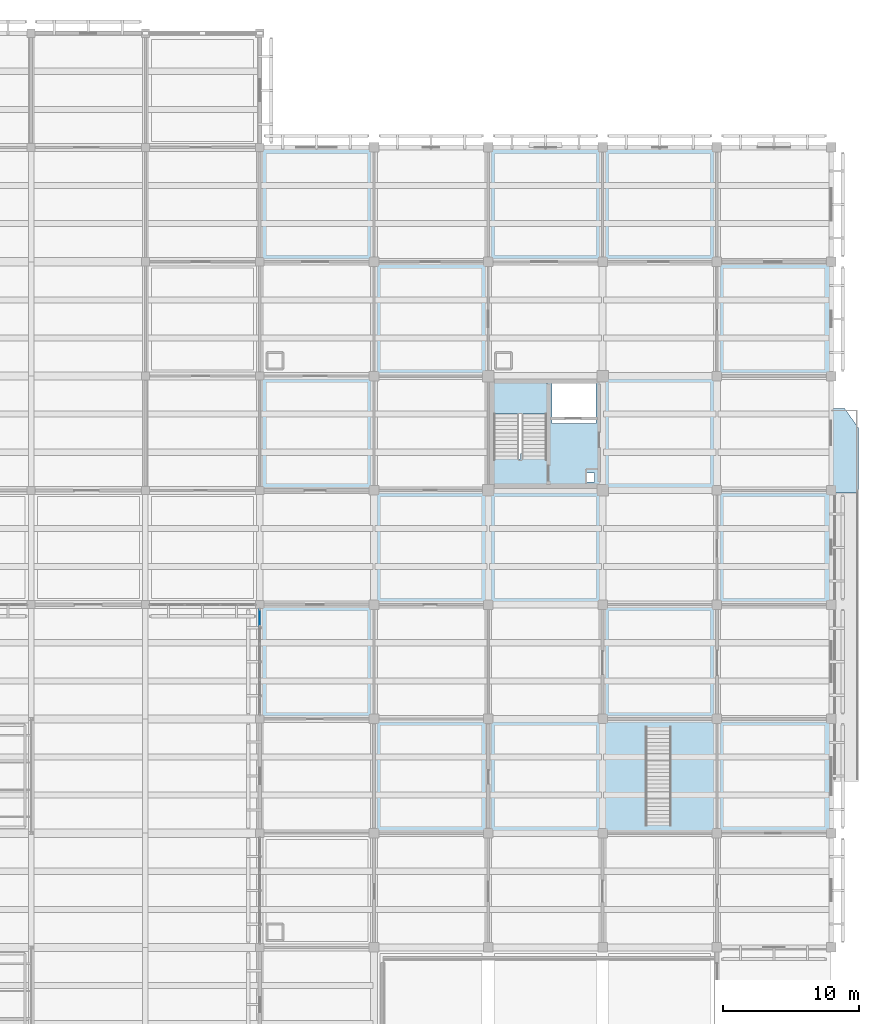
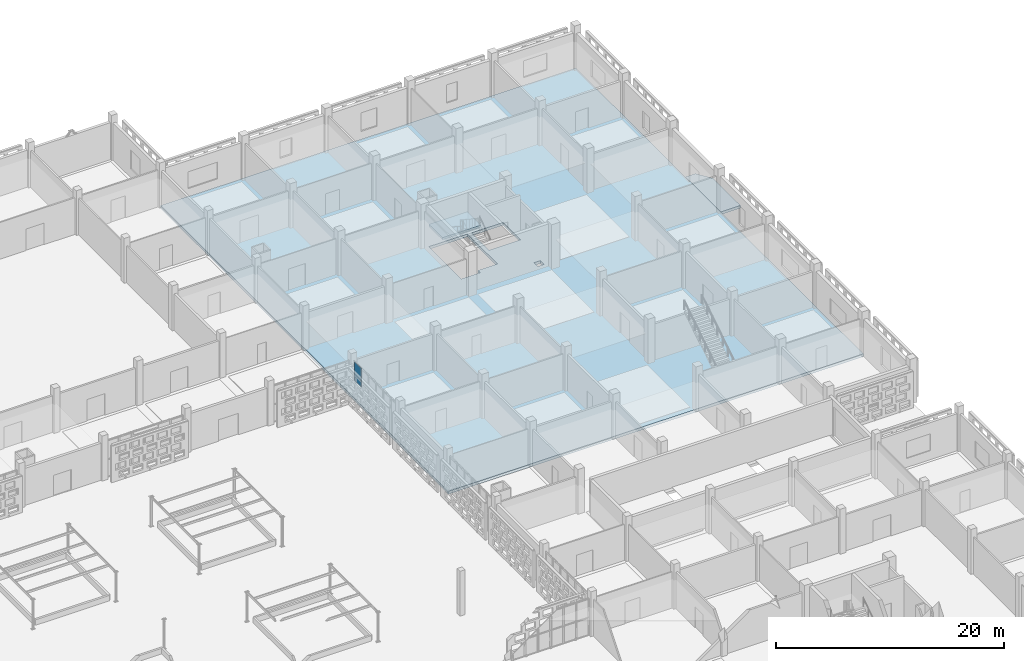
# One storey, part 52 of 129: 3 slabs, 1 plate, 2 elements without a shape of their own.
"""IFC4 building model written with IfcOpenShell, lengths in metres."""

import ifcopenshell
import ifcopenshell.guid

model = None  # the IFC model being written
_history = None  # IfcOwnerHistory: only IFC2X3 demands one
_inside = {}  # id of a spatial element -> (the spatial element, [elements in it])
_under = {}  # id of a project, library or spatial element -> (it, [spatial elements below it])
_declared = {}  # id of a project -> (the project, [libraries it declares])
_typed = {}  # id of a type object -> (the type object, [elements of that type])
_made_of = {}  # id of a material, layer set ... -> (it, [elements and type objects made of it])


def new_model(schema):
    """Start an empty IFC model of exactly this schema.

    Asked for "IFC4X3", IfcOpenShell would pick the latest addendum, in which some entities
    have other attributes; the version numbers below select the first issue.
    IFC2X3 requires an IfcOwnerHistory on every rooted entity: one is made here for all.
    """
    global model, _history
    if schema == "IFC4X3":
        model = ifcopenshell.file(schema_version=(4, 3, 0, 0))
    else:
        model = ifcopenshell.file(schema=schema)
    _inside.clear()
    _under.clear()
    _declared.clear()
    _typed.clear()
    _made_of.clear()
    _history = None
    if model.schema == "IFC2X3":
        org = make("IfcOrganization", Name="unknown")
        user = make(
            "IfcPersonAndOrganization",
            ThePerson=make("IfcPerson", FamilyName="unknown"),
            TheOrganization=org,
        )
        app = make(
            "IfcApplication",
            ApplicationDeveloper=org,
            Version="unknown",
            ApplicationFullName="unknown",
            ApplicationIdentifier="unknown",
        )
        _history = make(
            "IfcOwnerHistory",
            OwningUser=user,
            OwningApplication=app,
            ChangeAction="ADDED",
            CreationDate=0,
        )
    return model


def make(cls, **values):
    """One entity of the class cls with the attributes given. An attribute that is None is left unset."""
    return model.create_entity(
        cls, **{name: value for name, value in values.items() if value is not None}
    )


def rooted(cls, **values):
    """An entity with a GlobalId (a new one), such as an element, a storey or a relation."""
    return make(cls, GlobalId=ifcopenshell.guid.new(), OwnerHistory=_history, **values)


def si_unit(unit_type, name, prefix=None):
    """IfcSIUnit, for example si_unit("LENGTHUNIT", "METRE", prefix="MILLI")."""
    return make("IfcSIUnit", UnitType=unit_type, Prefix=prefix, Name=name)


def assignment(units):
    """IfcUnitAssignment: the units of a project."""
    return None if units is None else make("IfcUnitAssignment", Units=units)


def point(xyz):
    """IfcCartesianPoint."""
    return None if xyz is None else make("IfcCartesianPoint", Coordinates=xyz)


def direction(xyz):
    """IfcDirection."""
    return None if xyz is None else make("IfcDirection", DirectionRatios=xyz)


def frame(location, z_axis=None, x_axis=None):
    """IfcAxis2Placement3D, a coordinate frame: its origin and axes. An axis left out is left unset."""
    return make(
        "IfcAxis2Placement3D",
        Location=point(location),
        Axis=direction(z_axis),
        RefDirection=direction(x_axis),
    )


def frame_2d(location, x_axis=None):
    """IfcAxis2Placement2D, a coordinate frame in the plane: its origin and x axis."""
    return make(
        "IfcAxis2Placement2D", Location=point(location), RefDirection=direction(x_axis)
    )


def origin():
    """The frame at (0, 0, 0) with its axes left unset."""
    return frame((0.0, 0.0, 0.0))


def origin_2d():
    """The frame at (0, 0) in the plane with its x axis left unset."""
    return frame_2d((0.0, 0.0))


def place(relative_to, where):
    """IfcLocalPlacement: puts the frame where relative to a parent placement (None: the world)."""
    return make(
        "IfcLocalPlacement", PlacementRelTo=relative_to, RelativePlacement=where
    )


def context(
    kind, dimensions, precision=None, world=None, true_north=None, identifier=None
):
    """IfcGeometricRepresentationContext, for example the 3D "Model" context."""
    return make(
        "IfcGeometricRepresentationContext",
        ContextIdentifier=identifier,
        ContextType=kind,
        CoordinateSpaceDimension=dimensions,
        Precision=precision,
        WorldCoordinateSystem=world,
        TrueNorth=true_north,
    )


def subcontext(parent, identifier, kind, view, scale=None):
    """IfcGeometricRepresentationSubContext, for example "Body" below "Model"."""
    return make(
        "IfcGeometricRepresentationSubContext",
        ContextIdentifier=identifier,
        ContextType=kind,
        ParentContext=parent,
        TargetScale=scale,
        TargetView=view,
    )


def project(units=None, contexts=None):
    """IfcProject with its units and contexts."""
    return rooted(
        "IfcProject",
        Name="project",
        RepresentationContexts=contexts,
        UnitsInContext=assignment(units),
    )


def spatial(cls, under=None, at=None, **own):
    """A site, building, storey or space (cls), placed at a placement, below another one or the project."""
    s = rooted(cls, ObjectPlacement=at, **own)
    if under is not None:
        _under.setdefault(under.id(), (under, []))[1].append(s)
    return s


def polyline(points):
    """IfcPolyline through the points."""
    return make("IfcPolyline", Points=[point(p) for p in points])


def profile(cls, at=None, kind="AREA", **sizes):
    """A parametric profile (cls). Its sizes go by their IFC names, for example OverallWidth=200.0."""
    return make(cls, ProfileType=kind, Position=at, **sizes)


def rectangle(**sizes):
    """IfcRectangleProfileDef."""
    return profile("IfcRectangleProfileDef", **sizes)


def outline(outer, holes=None, kind="AREA"):
    """IfcArbitraryClosedProfileDef: a profile drawn as a closed curve; with holes, ...WithVoids."""
    if holes is None:
        return make("IfcArbitraryClosedProfileDef", ProfileType=kind, OuterCurve=outer)
    return make(
        "IfcArbitraryProfileDefWithVoids",
        ProfileType=kind,
        OuterCurve=outer,
        InnerCurves=holes,
    )


def extrude(swept, where, along, depth):
    """IfcExtrudedAreaSolid: the profile swept, set in the frame where, extruded along a direction by depth."""
    return make(
        "IfcExtrudedAreaSolid",
        SweptArea=swept,
        Position=where,
        ExtrudedDirection=direction(along),
        Depth=depth,
    )


def shape(context_of_items, identifier, shape_type, items):
    """IfcShapeRepresentation: the items that make up one representation, for example the "Body"."""
    return make(
        "IfcShapeRepresentation",
        ContextOfItems=context_of_items,
        RepresentationIdentifier=identifier,
        RepresentationType=shape_type,
        Items=items,
    )


def material(Name=None, Category=None):
    """IfcMaterial."""
    return make("IfcMaterial", Name=Name, Category=Category)


def layer(
    of_material, thickness, ventilated=None, Name=None, Category=None, Priority=None
):
    """IfcMaterialLayer: one layer of a wall or slab, of a material (None: an air gap)."""
    return make(
        "IfcMaterialLayer",
        Material=of_material,
        LayerThickness=thickness,
        IsVentilated=ventilated,
        Name=Name,
        Category=Category,
        Priority=Priority,
    )


def layer_set(layers, Name=None):
    """IfcMaterialLayerSet."""
    return make("IfcMaterialLayerSet", MaterialLayers=layers, LayerSetName=Name)


def made_of(thing, what):
    """Note that an element or type object is made of a material, layer set ...; save() writes the relation."""
    if what is not None:
        _made_of.setdefault(what.id(), (what, []))[1].append(thing)
    return thing


def type_object(cls, material=None, **own):
    """A type object (cls), such as IfcWallType, which elements share."""
    return made_of(rooted(cls, **own), material)


def element(
    cls,
    number,
    at=None,
    inside=None,
    cuts=None,
    type_object=None,
    material=None,
    context=None,
    identifier="Body",
    shape_type=None,
    held_by="IfcProductDefinitionShape",
    body=None,
    shapes=None,
    **own,
):
    """One element of the class cls, such as IfcWall. Its Tag is "e" and its number.

    at: its placement. inside: the storey or other place that contains it. cuts: it is an
    opening in that element (IfcRelVoidsElement). A single representation is given by context,
    identifier, shape_type and body (its items); several are given by shapes. held_by: the class
    of the entity that holds the representations. save() writes the other relations.
    """
    e = rooted(cls, Tag="e%d" % number, ObjectPlacement=at, **own)
    if body is not None:
        shapes = [shape(context, identifier, shape_type, body)]
    if shapes is not None:
        e.Representation = make(held_by, Representations=shapes)
    if inside is not None:
        _inside.setdefault(inside.id(), (inside, []))[1].append(e)
    if cuts is not None:
        rooted(
            "IfcRelVoidsElement", RelatingBuildingElement=cuts, RelatedOpeningElement=e
        )
    if type_object is not None:
        _typed.setdefault(type_object.id(), (type_object, []))[1].append(e)
    return made_of(e, material)


def aggregate(whole, parts):
    """IfcRelAggregates: a whole, such as a stair, and the parts it consists of."""
    return rooted("IfcRelAggregates", RelatingObject=whole, RelatedObjects=parts)


def save(model, path):
    """Write the relations noted so far, then the file.

    IfcRelAggregates (storeys below a building ...), IfcRelContainedInSpatialStructure (elements
    in a storey), IfcRelDefinesByType, IfcRelAssociatesMaterial and IfcRelDeclares: one each for
    every whole, place, type object, material and project.
    """
    for whole, parts in _under.values():
        aggregate(whole, parts)
    for where, things in _inside.values():
        rooted(
            "IfcRelContainedInSpatialStructure",
            RelatedElements=things,
            RelatingStructure=where,
        )
    for kind, things in _typed.values():
        rooted("IfcRelDefinesByType", RelatedObjects=things, RelatingType=kind)
    for what, things in _made_of.values():
        rooted("IfcRelAssociatesMaterial", RelatedObjects=things, RelatingMaterial=what)
    for by, libraries in _declared.values():
        rooted("IfcRelDeclares", RelatingContext=by, RelatedDefinitions=libraries)
    model.write(path)


model = new_model("IFC4")

# Units and contexts
model_context = context("Model", 3, precision=1e-05, world=origin(), true_north=direction((0.0, 1.0)))
body_context = subcontext(model_context, "Body", "Model", "MODEL_VIEW")
ifc_project = project(units=[si_unit("LENGTHUNIT", "METRE"), si_unit("AREAUNIT", "SQUARE_METRE"), si_unit("VOLUMEUNIT", "CUBIC_METRE"), si_unit("PLANEANGLEUNIT", "RADIAN"), si_unit("MASSUNIT", "GRAM", prefix="KILO")], contexts=[model_context])

# Site, building, storey
site_placement = place(None, origin())
site = spatial("IfcSite", under=ifc_project, at=site_placement, CompositionType="ELEMENT")
building_placement = place(site_placement, origin())
building = spatial("IfcBuilding", under=site, at=building_placement, Name="Varnapada Polytechnic", CompositionType="ELEMENT")
storey_placement = place(building_placement, origin())
storey = spatial("IfcBuildingStorey", under=building, at=storey_placement, Name="L00", CompositionType="ELEMENT", Elevation=0.0)

# Curtain wall, plate
ifc_material_1 = material(Name="Double low-E laminated glass", Category="glass")
ifc_layer_1 = layer(ifc_material_1, 0.159912109375)
ifc_layer_set_1 = layer_set([ifc_layer_1], Name="Double low-E laminated glass")
curtain_wall_type = type_object("IfcCurtainWallType", Name="Curtain Wall CW-01", PredefinedType="NOTDEFINED", material=ifc_layer_set_1)
curtain_wall_placement = place(storey_placement, origin())
curtain_wall = element("IfcCurtainWall", 1, at=curtain_wall_placement, inside=storey, type_object=curtain_wall_type, Name="L00 unitised curtain wall CW-01 (18)", PredefinedType="NOTDEFINED")
ifc_layer_2 = layer(ifc_material_1, 0.028076171875)
ifc_layer_set_2 = layer_set([ifc_layer_2], Name="Double low-E laminated glass")
plate_type = type_object("IfcPlateType", Name="Curtain Panel PNL-01", PredefinedType="CURTAIN_PANEL", material=ifc_layer_set_2)
plate_placement = place(storey_placement, frame((134.39990234375, 83.034912109375, 1.9306640625), z_axis=(0.0, 0.0, 1.0), x_axis=(0.0, 1.0, 0.0)))
plate = element("IfcPlate", 2, at=plate_placement, type_object=plate_type, Name="CW-01 panel 6.2", PredefinedType="CURTAIN_PANEL", context=body_context, shape_type="SweptSolid", body=[
    extrude(rectangle(XDim=1.2099609375, YDim=0.028076171875, at=origin_2d()), origin(), (0.0, 0.0, 1.0), 1.96923828125),
])
aggregate(curtain_wall, [plate])

# Slabs
ifc_material_2 = material(Name="Concrete C40/50", Category="concrete")
ifc_layer_3 = layer(ifc_material_2, 0.280029296875)
ifc_layer_set_3 = layer_set([ifc_layer_3], Name="Concrete C40/50")
slab_type_1 = type_object("IfcSlabType", Name="L00 exterior colonnade and portico deck SL-03", PredefinedType="FLOOR", material=ifc_layer_set_3)
slab_1_placement = place(storey_placement, frame((0.0, 0.0, -0.280029296875)))
element("IfcSlab", 3, at=slab_1_placement, inside=storey, type_object=slab_type_1, Name="L00 ramp N1 arrival landing slab", PredefinedType="FLOOR", context=body_context, shape_type="SweptSolid", body=[
    extrude(outline(polyline([(176.39990234375, 92.199951171875), (178.39990234375, 92.199951171875), (178.39990234375, 97.0), (177.39990234375, 98.39990234375), (176.39990234375, 98.39990234375), (176.39990234375, 92.199951171875)])), origin(), (0.0, 0.0, 1.0), 0.280029296875),
])
ifc_layer_4 = layer(ifc_material_2, 0.300048828125)
ifc_layer_set_4 = layer_set([ifc_layer_4], Name="Concrete C40/50")
slab_type_2 = type_object("IfcSlabType", Name="L00 interior flood-resilient podium slab SL-01", PredefinedType="FLOOR", material=ifc_layer_set_4)
slab_2_placement = place(storey_placement, frame((0.0, 0.0, -0.300048828125)))
element("IfcSlab", 4, at=slab_2_placement, inside=storey, type_object=slab_type_2, Name="L00 V5 slab 5.1", PredefinedType="FLOOR", context=body_context, shape_type="SweptSolid", body=[
    extrude(outline(polyline([(134.39990234375, 92.39990234375), (134.39990234375, 100.800048828125), (134.39990234375, 109.199951171875), (134.39990234375, 117.60009765625), (142.800048828125, 117.60009765625), (151.199951171875, 117.60009765625), (159.60009765625, 117.60009765625), (168.0, 117.60009765625), (176.39990234375, 117.60009765625), (176.39990234375, 109.199951171875), (176.39990234375, 100.800048828125), (176.39990234375, 92.39990234375), (176.39990234375, 84.0), (176.39990234375, 75.60009765625), (176.39990234375, 67.199951171875), (168.0, 67.199951171875), (159.60009765625, 67.199951171875), (151.199951171875, 67.199951171875), (142.800048828125, 67.199951171875), (134.39990234375, 67.199951171875), (134.39990234375, 75.60009765625), (134.39990234375, 84.0), (134.39990234375, 92.39990234375)]), holes=[polyline([(151.60009765625, 94.7099609375), (153.550048828125, 94.7099609375), (153.550048828125, 95.110107421875), (155.5, 95.110107421875), (155.5, 100.39990234375), (151.60009765625, 100.39990234375), (151.60009765625, 94.7099609375)]), polyline([(155.89990234375, 97.300048828125), (159.10009765625, 97.300048828125), (159.10009765625, 100.35009765625), (155.89990234375, 100.35009765625), (155.89990234375, 97.300048828125)]), polyline([(158.35009765625, 93.02001953125), (159.0, 93.02001953125), (159.0, 93.669921875), (158.35009765625, 93.669921875), (158.35009765625, 93.02001953125)])]), origin(), (0.0, 0.0, 1.0), 0.300048828125),
])

# Stair, slab
stair_type = type_object("IfcStairType", Name="Core Exit Stair ST-B", PredefinedType="HALF_TURN_STAIR", material=ifc_material_2)
stair_placement = place(storey_placement, origin())
stair = element("IfcStair", 5, at=stair_placement, inside=storey, type_object=stair_type, Name="L00 Core C5 Exit Stair", PredefinedType="HALF_TURN_STAIR")
ifc_layer_5 = layer(ifc_material_2, 0.219970703125)
ifc_layer_set_5 = layer_set([ifc_layer_5], Name="Concrete C40/50")
slab_type_3 = type_object("IfcSlabType", Name="Stair Half Landing SLD-02", PredefinedType="LANDING", material=ifc_layer_set_5)
slab_3_placement = place(storey_placement, frame((0.0, 0.0, 2.179931640625)))
slab_3 = element("IfcSlab", 6, at=slab_3_placement, type_object=slab_type_3, Name="ST-5 landing 1", PredefinedType="LANDING", context=body_context, shape_type="SweptSolid", body=[
    extrude(outline(polyline([(155.5, 98.010009765625), (155.5, 100.39990234375), (151.60009765625, 100.39990234375), (151.60009765625, 98.010009765625), (155.5, 98.010009765625)])), origin(), (0.0, 0.0, 1.0), 0.219970703125),
])
aggregate(stair, [slab_3])

save(model, "model.ifc")
